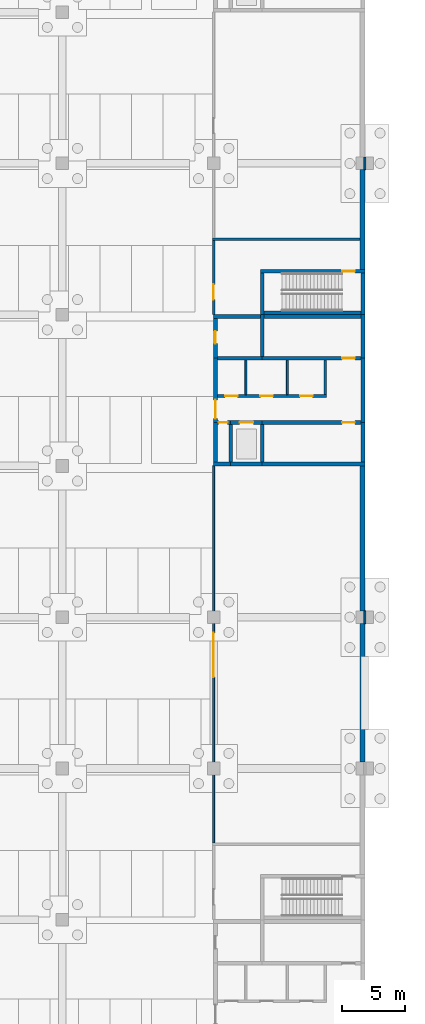
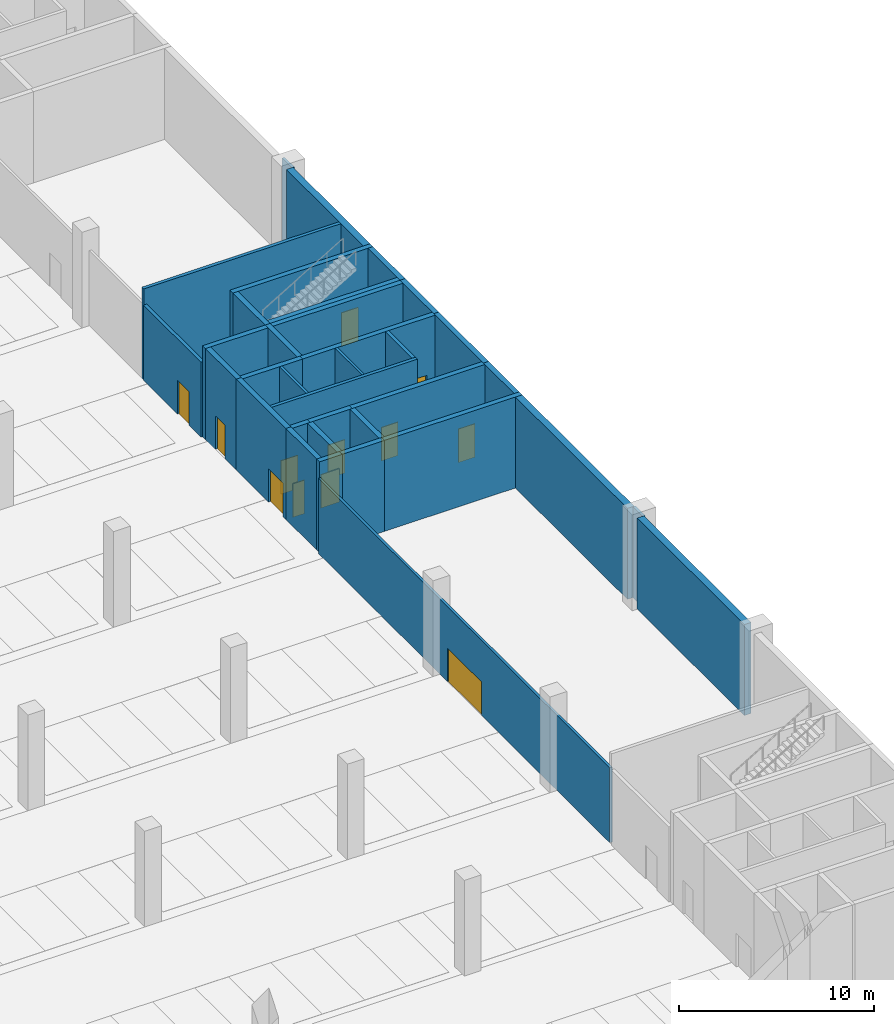
# One storey, part 21 of 34: 35 walls, 12 doors, 12 openings.
"""IFC4 building model written with IfcOpenShell, lengths in metres."""

from ifc_helpers import new_model, si_unit, direction, frame, frame_2d, origin, place, context, subcontext, project, spatial, rectangle, extrude, material, layer, layer_set, type_object, element, fill, save


model = new_model("IFC4")

# Units and contexts
model_context = context("Model", 3, precision=1e-05, world=origin(), true_north=direction((0.0, 1.0)))
body_context = subcontext(model_context, "Body", "Model", "MODEL_VIEW")
ifc_project = project(units=[si_unit("LENGTHUNIT", "METRE"), si_unit("AREAUNIT", "SQUARE_METRE"), si_unit("VOLUMEUNIT", "CUBIC_METRE"), si_unit("PLANEANGLEUNIT", "RADIAN"), si_unit("MASSUNIT", "GRAM", prefix="KILO")], contexts=[model_context])

# Site, building, storey
site_placement = place(None, origin())
site = spatial("IfcSite", under=ifc_project, at=site_placement, CompositionType="ELEMENT")
building_placement = place(site_placement, origin())
building = spatial("IfcBuilding", under=site, at=building_placement, Name="Lilac Gate Convention Centre", CompositionType="ELEMENT")
storey_placement = place(building_placement, frame((0.0, 0.0, -6.0)))
storey = spatial("IfcBuildingStorey", under=building, at=storey_placement, Name="B1", CompositionType="ELEMENT", Elevation=-6.0)

# Walls
ifc_material_1 = material(Name="Concrete C35", Category="concrete")
ifc_layer_1 = layer(ifc_material_1, 0.39990234375)
ifc_layer_set_1 = layer_set([ifc_layer_1], Name="Concrete C35")
wall_type_1 = type_object("IfcWallType", Name="Basement wall 400 C35", PredefinedType="SOLIDWALL", material=ifc_layer_set_1)
wall_1_placement = place(storey_placement, frame((89.800048828125, 126.5, 0.0), z_axis=(0.0, 0.0, 1.0), x_axis=(0.0, 1.0, 0.0)))
element("IfcWall", 1, at=wall_1_placement, inside=storey, type_object=wall_type_1, Name="SW2 basement wall 2 at 8/G", PredefinedType="SOLIDWALL", context=body_context, shape_type="SweptSolid", body=[
    extrude(rectangle(XDim=11.0, YDim=0.39990234375, at=frame_2d((5.5, 0.0))), origin(), (0.0, 0.0, 1.0), 5.699951171875),
])
wall_2_placement = place(storey_placement, frame((89.800048828125, 138.5, 0.0), z_axis=(0.0, 0.0, 1.0), x_axis=(0.0, 1.0, 0.0)))
element("IfcWall", 2, at=wall_2_placement, inside=storey, type_object=wall_type_1, Name="SW2 basement wall 3 at 8/G", PredefinedType="SOLIDWALL", context=body_context, shape_type="SweptSolid", body=[
    extrude(rectangle(XDim=11.5, YDim=0.39990234375, at=frame_2d((5.75, 0.0))), origin(), (0.0, 0.0, 1.0), 5.699951171875),
])
wall_3_placement = place(storey_placement, frame((89.800048828125, 165.60009765625, 0.0), z_axis=(0.0, 0.0, 1.0), x_axis=(0.0, 1.0, 0.0)))
element("IfcWall", 3, at=wall_3_placement, inside=storey, type_object=wall_type_1, Name="SW2 basement wall 4 at 8/G", PredefinedType="SOLIDWALL", context=body_context, shape_type="SweptSolid", body=[
    extrude(rectangle(XDim=7.89990234375, YDim=0.39990234375, at=frame_2d((3.949951171875, 0.0))), origin(), (0.0, 0.0, 1.0), 5.699951171875),
])

# Wall, opening, door
ifc_material_2 = material(Name="Fire-rated gypsum board on steel stud", Category="steel")
ifc_layer_2 = layer(ifc_material_2, 0.14990234375)
ifc_layer_set_2 = layer_set([ifc_layer_2], Name="Fire-rated gypsum board on steel stud")
wall_type_2 = type_object("IfcWallType", Name="Partition 150 fire-rated gypsum board EI 60", PredefinedType="PARTITIONING", material=ifc_layer_set_2)
wall_4_placement = place(storey_placement, frame((78.0, 120.10009765625, 0.0), z_axis=(0.0, 0.0, 1.0), x_axis=(0.0, 1.0, 0.0)))
wall_4 = element("IfcWall", 4, at=wall_4_placement, inside=storey, type_object=wall_type_2, Name="Partition 150 fire-rated gypsum board EI 60", PredefinedType="PARTITIONING", context=body_context, shape_type="SweptSolid", body=[
    extrude(rectangle(XDim=29.89990234375, YDim=0.14990234375, at=frame_2d((14.949951171875, 0.0))), origin(), (0.0, 0.0, 1.0), 4.699951171875),
])
opening_1_placement = place(wall_4_placement, frame((13.14990234375, 0.0, 0.0)))
opening_1 = element("IfcOpeningElement", 5, at=opening_1_placement, cuts=wall_4, Name="Opening B1-037", PredefinedType="OPENING", context=body_context, shape_type="SweptSolid", body=[
    extrude(rectangle(XDim=3.5, YDim=2.10009765625, at=frame_2d((1.75, 1.050048828125))), frame((0.0, 0.0849609375, 0.0), z_axis=(0.0, -1.0, 0.0), x_axis=(1.0, 0.0, 0.0)), (0.0, 0.0, 1.0), 0.169921875),
])
ifc_material_3 = material(Name="Timber fire door leaf", Category="wood")
door_type_1 = type_object("IfcDoorType", Name="Door 3500 x 2100 double leaf FD30", OperationType="DOUBLE_DOOR_SINGLE_SWING", PredefinedType="DOOR", material=ifc_material_3)
door_1_placement = place(opening_1_placement, origin())
door_1 = element("IfcDoor", 6, at=door_1_placement, inside=storey, type_object=door_type_1, Name="Loading dock door B1-037", OperationType="DOUBLE_DOOR_SINGLE_SWING", OverallHeight=2.10009765625, OverallWidth=3.5, PredefinedType="DOOR", context=body_context, shape_type="SweptSolid", body=[
    extrude(rectangle(XDim=3.5, YDim=2.10009765625, at=frame_2d((1.75, 1.050048828125))), frame((0.0, 0.02490234375, 0.0), z_axis=(0.0, -1.0, 0.0), x_axis=(1.0, 0.0, 0.0)), (0.0, 0.0, 1.0), 0.050048828125),
])
fill(opening_1, door_1)

# Walls
for number, where, z_axis, x_axis, name in (
    (7, (80.550048828125, 155.64990234375, 0.0), (0.0, 0.0, 1.0), (0.0, 1.0, 0.0), "Partition 150 fire-rated gypsum board EI 60"),
    (8, (83.85009765625, 155.64990234375, 0.0), (0.0, 0.0, 1.0), (0.0, 1.0, 0.0), "Partition 150 fire-rated gypsum board EI 60"),
):
    element("IfcWall", number, at=place(storey_placement, frame(where, z_axis=z_axis, x_axis=x_axis)), inside=storey, type_object=wall_type_2, Name=name, PredefinedType="PARTITIONING", context=body_context, shape_type="SweptSolid", body=[
        extrude(rectangle(XDim=2.75, YDim=0.14990234375, at=frame_2d((1.375, 0.0))), origin(), (0.0, 0.0, 1.0), 5.699951171875),
    ])
for number, where, z_axis, x_axis, name in (
    (9, (90.0, 137.5, 0.0), (0.0, 0.0, 1.0), (0.0, 1.0, 0.0), "Partition 150 fire-rated gypsum board EI 60"),
    (10, (90.0, 173.5, 0.0), (0.0, 0.0, 1.0), (0.0, 1.0, 0.0), "Partition 150 fire-rated gypsum board EI 60"),
):
    element("IfcWall", number, at=place(storey_placement, frame(where, z_axis=z_axis, x_axis=x_axis)), inside=storey, type_object=wall_type_2, Name=name, PredefinedType="PARTITIONING", context=body_context, shape_type="SweptSolid", body=[
        extrude(rectangle(XDim=1.0, YDim=0.14990234375, at=frame_2d((0.5, 0.0))), origin(), (0.0, 0.0, 1.0), 5.699951171875),
    ])

# Wall, openings, doors
ifc_material_4 = material(Name="Clay brick masonry", Category="masonry")
ifc_layer_3 = layer(ifc_material_4, 0.199951171875)
ifc_layer_set_3 = layer_set([ifc_layer_3], Name="Clay brick masonry")
wall_type_3 = type_object("IfcWallType", Name="Partition 200 brick EI 60", PredefinedType="PARTITIONING", material=ifc_layer_set_3)
wall_5_placement = place(storey_placement, frame((78.300048828125, 155.550048828125, 0.0), z_axis=(0.0, 0.0, 1.0), x_axis=(1.0, 0.0, 0.0)))
wall_5 = element("IfcWall", 11, at=wall_5_placement, inside=storey, type_object=wall_type_3, Name="Partition 200 brick EI 60", PredefinedType="PARTITIONING", context=body_context, shape_type="SweptSolid", body=[
    extrude(rectangle(XDim=8.64990234375, YDim=0.199951171875, at=frame_2d((4.324951171875, 0.0))), origin(), (0.0, 0.0, 1.0), 5.699951171875),
])
opening_2_placement = place(wall_5_placement, frame((0.60009765625, 0.0, 0.0)))
opening_2 = element("IfcOpeningElement", 12, at=opening_2_placement, cuts=wall_5, Name="Opening B1-048", PredefinedType="OPENING", context=body_context, shape_type="SweptSolid", body=[
    extrude(rectangle(XDim=1.0, YDim=2.10009765625, at=frame_2d((0.5, 1.050048828125))), frame((0.0, 0.10986328125, 0.0), z_axis=(0.0, -1.0, 0.0), x_axis=(1.0, 0.0, 0.0)), (0.0, 0.0, 1.0), 0.219970703125),
])
opening_3_placement = place(wall_5_placement, frame((3.39990234375, 0.0, 0.0)))
opening_3 = element("IfcOpeningElement", 13, at=opening_3_placement, cuts=wall_5, Name="Opening B1-049", PredefinedType="OPENING", context=body_context, shape_type="SweptSolid", body=[
    extrude(rectangle(XDim=1.0, YDim=2.10009765625, at=frame_2d((0.5, 1.050048828125))), frame((0.0, 0.10986328125, 0.0), z_axis=(0.0, -1.0, 0.0), x_axis=(1.0, 0.0, 0.0)), (0.0, 0.0, 1.0), 0.219970703125),
])
opening_4_placement = place(wall_5_placement, frame((6.550048828125, 0.0, 0.0)))
opening_4 = element("IfcOpeningElement", 14, at=opening_4_placement, cuts=wall_5, Name="Opening B1-050", PredefinedType="OPENING", context=body_context, shape_type="SweptSolid", body=[
    extrude(rectangle(XDim=1.0, YDim=2.10009765625, at=frame_2d((0.5, 1.050048828125))), frame((0.0, 0.10986328125, 0.0), z_axis=(0.0, -1.0, 0.0), x_axis=(1.0, 0.0, 0.0)), (0.0, 0.0, 1.0), 0.219970703125),
])
door_type_2 = type_object("IfcDoorType", Name="Door 1000 x 2100 single leaf FD30", OperationType="SINGLE_SWING_LEFT", PredefinedType="DOOR", material=ifc_material_3)
door_2_placement = place(opening_2_placement, origin())
door_2 = element("IfcDoor", 15, at=door_2_placement, inside=storey, type_object=door_type_2, Name="Accessible WC door B1-048", OperationType="SINGLE_SWING_RIGHT", OverallHeight=2.10009765625, OverallWidth=1.0, PredefinedType="DOOR", context=body_context, shape_type="SweptSolid", body=[
    extrude(rectangle(XDim=1.0, YDim=2.10009765625, at=frame_2d((0.5, 1.050048828125))), frame((0.0, 0.02490234375, 0.0), z_axis=(0.0, -1.0, 0.0), x_axis=(1.0, 0.0, 0.0)), (0.0, 0.0, 1.0), 0.050048828125),
])
fill(opening_2, door_2)
door_3_placement = place(opening_3_placement, origin())
door_3 = element("IfcDoor", 16, at=door_3_placement, inside=storey, type_object=door_type_2, Name="WC door B1-049", OperationType="SINGLE_SWING_LEFT", OverallHeight=2.10009765625, OverallWidth=1.0, PredefinedType="DOOR", context=body_context, shape_type="SweptSolid", body=[
    extrude(rectangle(XDim=1.0, YDim=2.10009765625, at=frame_2d((0.5, 1.050048828125))), frame((0.0, 0.02490234375, 0.0), z_axis=(0.0, -1.0, 0.0), x_axis=(1.0, 0.0, 0.0)), (0.0, 0.0, 1.0), 0.050048828125),
])
fill(opening_3, door_3)
door_4_placement = place(opening_4_placement, origin())
door_4 = element("IfcDoor", 17, at=door_4_placement, inside=storey, type_object=door_type_2, Name="WC door B1-050", OperationType="SINGLE_SWING_RIGHT", OverallHeight=2.10009765625, OverallWidth=1.0, PredefinedType="DOOR", context=body_context, shape_type="SweptSolid", body=[
    extrude(rectangle(XDim=1.0, YDim=2.10009765625, at=frame_2d((0.5, 1.050048828125))), frame((0.0, 0.02490234375, 0.0), z_axis=(0.0, -1.0, 0.0), x_axis=(1.0, 0.0, 0.0)), (0.0, 0.0, 1.0), 0.050048828125),
])
fill(opening_4, door_4)

# Wall
wall_6_placement = place(storey_placement, frame((77.925048828125, 168.0, 0.0), z_axis=(0.0, 0.0, 1.0), x_axis=(1.0, 0.0, 0.0)))
element("IfcWall", 18, at=wall_6_placement, inside=storey, type_object=wall_type_3, Name="Partition 200 brick EI 60", PredefinedType="PARTITIONING", context=body_context, shape_type="SweptSolid", body=[
    extrude(rectangle(XDim=11.675048828125, YDim=0.199951171875, at=frame_2d((5.83740234375, 0.0))), origin(), (0.0, 0.0, 1.0), 5.699951171875),
])

# Wall, opening, door
wall_7_placement = place(storey_placement, frame((78.0, 162.0, 0.0), z_axis=(0.0, 0.0, 1.0), x_axis=(0.0, 1.0, 0.0)))
wall_7 = element("IfcWall", 19, at=wall_7_placement, inside=storey, type_object=wall_type_3, Name="Partition 200 brick EI 60", PredefinedType="PARTITIONING", context=body_context, shape_type="SweptSolid", body=[
    extrude(rectangle(XDim=5.89990234375, YDim=0.199951171875, at=frame_2d((2.949951171875, 0.0))), origin(), (0.0, 0.0, 1.0), 4.699951171875),
])
opening_5_placement = place(wall_7_placement, frame((1.199951171875, 0.0, 0.0)))
opening_5 = element("IfcOpeningElement", 20, at=opening_5_placement, cuts=wall_7, Name="Opening B1-056", PredefinedType="OPENING", context=body_context, shape_type="SweptSolid", body=[
    extrude(rectangle(XDim=1.199951171875, YDim=2.10009765625, at=frame_2d((0.60009765625, 1.050048828125))), frame((0.0, 0.10986328125, 0.0), z_axis=(0.0, -1.0, 0.0), x_axis=(1.0, 0.0, 0.0)), (0.0, 0.0, 1.0), 0.219970703125),
])
door_type_3 = type_object("IfcDoorType", Name="Door 1200 x 2100 single leaf FD60", OperationType="SINGLE_SWING_LEFT", PredefinedType="DOOR", material=ifc_material_3)
door_5_placement = place(opening_5_placement, frame((1.199951171875, 0.0, 0.0), z_axis=(0.0, 0.0, 1.0), x_axis=(-1.0, 0.0, 0.0)))
door_5 = element("IfcDoor", 21, at=door_5_placement, inside=storey, type_object=door_type_3, Name="Lobby door B1-056", OperationType="SINGLE_SWING_LEFT", OverallHeight=2.10009765625, OverallWidth=1.199951171875, PredefinedType="DOOR", context=body_context, shape_type="SweptSolid", body=[
    extrude(rectangle(XDim=1.199951171875, YDim=2.10009765625, at=frame_2d((0.60009765625, 1.050048828125))), frame((0.0, 0.02490234375, 0.0), z_axis=(0.0, -1.0, 0.0), x_axis=(1.0, 0.0, 0.0)), (0.0, 0.0, 1.0), 0.050048828125),
])
fill(opening_5, door_5)

# Walls
wall_8_placement = place(storey_placement, frame((86.85009765625, 155.64990234375, 0.0), z_axis=(0.0, 0.0, 1.0), x_axis=(0.0, 1.0, 0.0)))
element("IfcWall", 22, at=wall_8_placement, inside=storey, type_object=wall_type_3, Name="Partition 200 brick EI 60", PredefinedType="PARTITIONING", context=body_context, shape_type="SweptSolid", body=[
    extrude(rectangle(XDim=2.75, YDim=0.199951171875, at=frame_2d((1.375, 0.0))), origin(), (0.0, 0.0, 1.0), 5.699951171875),
])
ifc_material_5 = material(Name="Concrete C40", Category="concrete")
ifc_layer_4 = layer(ifc_material_5, 0.300048828125)
ifc_layer_set_4 = layer_set([ifc_layer_4], Name="Concrete C40")
wall_type_4 = type_object("IfcWallType", Name="Shear wall 300 C40", PredefinedType="SHEAR", material=ifc_layer_set_4)
wall_9_placement = place(storey_placement, frame((90.0, 162.14990234375, 0.0), z_axis=(0.0, 0.0, 1.0), x_axis=(-1.0, 0.0, 0.0)))
element("IfcWall", 23, at=wall_9_placement, inside=storey, type_object=wall_type_4, Name="SW1 shear wall BE2 B1 1", PredefinedType="SHEAR", context=body_context, shape_type="SweptSolid", body=[
    extrude(rectangle(XDim=8.300048828125, YDim=0.300048828125, at=frame_2d((4.14990234375, 0.0))), origin(), (0.0, 0.0, 1.0), 5.699951171875),
])

# Wall, opening, door
wall_10_placement = place(storey_placement, frame((90.0, 165.449951171875, 0.0), z_axis=(0.0, 0.0, 1.0), x_axis=(-1.0, 0.0, 0.0)))
wall_10 = element("IfcWall", 24, at=wall_10_placement, inside=storey, type_object=wall_type_4, Name="SW1 shear wall BE2 B1 2", PredefinedType="SHEAR", context=body_context, shape_type="SweptSolid", body=[
    extrude(rectangle(XDim=8.300048828125, YDim=0.300048828125, at=frame_2d((4.14990234375, 0.0))), origin(), (0.0, 0.0, 1.0), 5.699951171875),
])
opening_6_placement = place(wall_10_placement, frame((0.800048828125, 0.0, 0.0)))
opening_6 = element("IfcOpeningElement", 25, at=opening_6_placement, cuts=wall_10, Name="Opening B1-058", PredefinedType="OPENING", context=body_context, shape_type="SweptSolid", body=[
    extrude(rectangle(XDim=1.0, YDim=2.10009765625, at=frame_2d((0.5, 1.050048828125))), frame((0.0, 0.159912109375, 0.0), z_axis=(0.0, -1.0, 0.0), x_axis=(1.0, 0.0, 0.0)), (0.0, 0.0, 1.0), 0.320068359375),
])
door_type_4 = type_object("IfcDoorType", Name="Door 1000 x 2100 single leaf FD60", OperationType="SINGLE_SWING_LEFT", PredefinedType="DOOR", material=ifc_material_3)
door_6_placement = place(opening_6_placement, origin())
door_6 = element("IfcDoor", 26, at=door_6_placement, inside=storey, type_object=door_type_4, Name="Stair door B1-058", OperationType="SINGLE_SWING_RIGHT", OverallHeight=2.10009765625, OverallWidth=1.0, PredefinedType="DOOR", context=body_context, shape_type="SweptSolid", body=[
    extrude(rectangle(XDim=1.0, YDim=2.10009765625, at=frame_2d((0.5, 1.050048828125))), frame((0.0, 0.02490234375, 0.0), z_axis=(0.0, -1.0, 0.0), x_axis=(1.0, 0.0, 0.0)), (0.0, 0.0, 1.0), 0.050048828125),
])
fill(opening_6, door_6)

# Walls
for number, where, z_axis, x_axis, name in (
    (27, (89.85009765625, 162.0, 0.0), (0.0, 0.0, 1.0), (0.0, 1.0, 0.0), "SW1 shear wall BE2 B1 3"),
    (28, (81.85009765625, 162.0, 0.0), (0.0, 0.0, 1.0), (0.0, 1.0, 0.0), "SW1 shear wall BE2 B1 4"),
):
    element("IfcWall", number, at=place(storey_placement, frame(where, z_axis=z_axis, x_axis=x_axis)), inside=storey, type_object=wall_type_4, Name=name, PredefinedType="SHEAR", context=body_context, shape_type="SweptSolid", body=[
        extrude(rectangle(XDim=3.300048828125, YDim=0.300048828125, at=frame_2d((1.64990234375, 0.0))), origin(), (0.0, 0.0, 1.0), 5.699951171875),
    ])
wall_11_placement = place(storey_placement, frame((90.0, 150.14990234375, 0.0), z_axis=(0.0, 0.0, 1.0), x_axis=(-1.0, 0.0, 0.0)))
element("IfcWall", 29, at=wall_11_placement, inside=storey, type_object=wall_type_4, Name="SW1 shear wall E2 B1 1", PredefinedType="SHEAR", context=body_context, shape_type="SweptSolid", body=[
    extrude(rectangle(XDim=8.14990234375, YDim=0.300048828125, at=frame_2d((4.074951171875, 0.0))), origin(), (0.0, 0.0, 1.0), 5.699951171875),
])
wall_12_placement = place(storey_placement, frame((81.85009765625, 150.14990234375, 0.0), z_axis=(0.0, 0.0, 1.0), x_axis=(-1.0, 0.0, 0.0)))
element("IfcWall", 30, at=wall_12_placement, inside=storey, type_object=wall_type_4, Name="SW1 shear wall E2 B1 2", PredefinedType="SHEAR", context=body_context, shape_type="SweptSolid", body=[
    extrude(rectangle(XDim=2.5, YDim=0.300048828125, at=frame_2d((1.25, 0.0))), origin(), (0.0, 0.0, 1.0), 5.699951171875),
])
wall_13_placement = place(storey_placement, frame((79.35009765625, 150.14990234375, 0.0), z_axis=(0.0, 0.0, 1.0), x_axis=(-1.0, 0.0, 0.0)))
element("IfcWall", 31, at=wall_13_placement, inside=storey, type_object=wall_type_4, Name="SW1 shear wall E2 B1 3", PredefinedType="SHEAR", context=body_context, shape_type="SweptSolid", body=[
    extrude(rectangle(XDim=1.35009765625, YDim=0.300048828125, at=frame_2d((0.675048828125, 0.0))), origin(), (0.0, 0.0, 1.0), 5.699951171875),
])
wall_14_placement = place(storey_placement, frame((90.0, 161.85009765625, 0.0), z_axis=(0.0, 0.0, 1.0), x_axis=(-1.0, 0.0, 0.0)))
element("IfcWall", 32, at=wall_14_placement, inside=storey, type_object=wall_type_4, Name="SW1 shear wall E2 B1 4", PredefinedType="SHEAR", context=body_context, shape_type="SweptSolid", body=[
    extrude(rectangle(XDim=8.14990234375, YDim=0.300048828125, at=frame_2d((4.074951171875, 0.0))), origin(), (0.0, 0.0, 1.0), 5.699951171875),
])
wall_15_placement = place(storey_placement, frame((81.85009765625, 161.85009765625, 0.0), z_axis=(0.0, 0.0, 1.0), x_axis=(-1.0, 0.0, 0.0)))
element("IfcWall", 33, at=wall_15_placement, inside=storey, type_object=wall_type_4, Name="SW1 shear wall E2 B1 5", PredefinedType="SHEAR", context=body_context, shape_type="SweptSolid", body=[
    extrude(rectangle(XDim=3.85009765625, YDim=0.300048828125, at=frame_2d((1.925048828125, 0.0))), origin(), (0.0, 0.0, 1.0), 5.699951171875),
])

# Wall, opening, door
wall_16_placement = place(storey_placement, frame((90.0, 153.449951171875, 0.0), z_axis=(0.0, 0.0, 1.0), x_axis=(-1.0, 0.0, 0.0)))
wall_16 = element("IfcWall", 34, at=wall_16_placement, inside=storey, type_object=wall_type_4, Name="SW1 shear wall E2 B1 6", PredefinedType="SHEAR", context=body_context, shape_type="SweptSolid", body=[
    extrude(rectangle(XDim=8.14990234375, YDim=0.300048828125, at=frame_2d((4.074951171875, 0.0))), origin(), (0.0, 0.0, 1.0), 5.699951171875),
])
opening_7_placement = place(wall_16_placement, frame((0.800048828125, 0.0, 0.0)))
opening_7 = element("IfcOpeningElement", 35, at=opening_7_placement, cuts=wall_16, Name="Opening B1-042", PredefinedType="OPENING", context=body_context, shape_type="SweptSolid", body=[
    extrude(rectangle(XDim=1.0, YDim=2.10009765625, at=frame_2d((0.5, 1.050048828125))), frame((0.0, 0.159912109375, 0.0), z_axis=(0.0, -1.0, 0.0), x_axis=(1.0, 0.0, 0.0)), (0.0, 0.0, 1.0), 0.320068359375),
])
door_7_placement = place(opening_7_placement, origin())
door_7 = element("IfcDoor", 36, at=door_7_placement, inside=storey, type_object=door_type_4, Name="Store door B1-042", OperationType="SINGLE_SWING_RIGHT", OverallHeight=2.10009765625, OverallWidth=1.0, PredefinedType="DOOR", context=body_context, shape_type="SweptSolid", body=[
    extrude(rectangle(XDim=1.0, YDim=2.10009765625, at=frame_2d((0.5, 1.050048828125))), frame((0.0, 0.02490234375, 0.0), z_axis=(0.0, -1.0, 0.0), x_axis=(1.0, 0.0, 0.0)), (0.0, 0.0, 1.0), 0.050048828125),
])
fill(opening_7, door_7)

wall_17_placement = place(storey_placement, frame((81.85009765625, 153.449951171875, 0.0), z_axis=(0.0, 0.0, 1.0), x_axis=(-1.0, 0.0, 0.0)))
wall_17 = element("IfcWall", 37, at=wall_17_placement, inside=storey, type_object=wall_type_4, Name="SW1 shear wall E2 B1 7", PredefinedType="SHEAR", context=body_context, shape_type="SweptSolid", body=[
    extrude(rectangle(XDim=2.5, YDim=0.300048828125, at=frame_2d((1.25, 0.0))), origin(), (0.0, 0.0, 1.0), 5.699951171875),
])
opening_8_placement = place(wall_17_placement, frame((0.699951171875, 0.0, 0.0)))
opening_8 = element("IfcOpeningElement", 38, at=opening_8_placement, cuts=wall_17, Name="Opening LDE2-B1", PredefinedType="OPENING", context=body_context, shape_type="SweptSolid", body=[
    extrude(rectangle(XDim=1.10009765625, YDim=2.10009765625, at=frame_2d((0.550048828125, 1.050048828125))), frame((0.0, 0.159912109375, 0.0), z_axis=(0.0, -1.0, 0.0), x_axis=(1.0, 0.0, 0.0)), (0.0, 0.0, 1.0), 0.320068359375),
])
ifc_material_6 = material(Name="Stainless steel 304", Category="steel")
door_type_5 = type_object("IfcDoorType", Name="Lift landing door 1100 x 2100", OperationType="SLIDING_TO_LEFT", PredefinedType="DOOR", material=ifc_material_6)
door_8_placement = place(opening_8_placement, origin())
door_8 = element("IfcDoor", 39, at=door_8_placement, inside=storey, type_object=door_type_5, Name="Lift landing door LDE2-B1", OperationType="SLIDING_TO_LEFT", OverallHeight=2.10009765625, OverallWidth=1.10009765625, PredefinedType="DOOR", context=body_context, shape_type="SweptSolid", body=[
    extrude(rectangle(XDim=1.10009765625, YDim=2.10009765625, at=frame_2d((0.550048828125, 1.050048828125))), frame((0.0, 0.02490234375, 0.0), z_axis=(0.0, -1.0, 0.0), x_axis=(1.0, 0.0, 0.0)), (0.0, 0.0, 1.0), 0.050048828125),
])
fill(opening_8, door_8)

wall_18_placement = place(storey_placement, frame((79.35009765625, 153.449951171875, 0.0), z_axis=(0.0, 0.0, 1.0), x_axis=(-1.0, 0.0, 0.0)))
wall_18 = element("IfcWall", 40, at=wall_18_placement, inside=storey, type_object=wall_type_4, Name="SW1 shear wall E2 B1 8", PredefinedType="SHEAR", context=body_context, shape_type="SweptSolid", body=[
    extrude(rectangle(XDim=1.050048828125, YDim=0.300048828125, at=frame_2d((0.52490234375, 0.0))), origin(), (0.0, 0.0, 1.0), 5.699951171875),
])
opening_9_placement = place(wall_18_placement, frame((0.25, 0.0, 0.0)))
opening_9 = element("IfcOpeningElement", 41, at=opening_9_placement, cuts=wall_18, Name="Opening B1-041", PredefinedType="OPENING", context=body_context, shape_type="SweptSolid", body=[
    extrude(rectangle(XDim=0.699951171875, YDim=2.10009765625, at=frame_2d((0.35009765625, 1.050048828125))), frame((0.0, 0.159912109375, 0.0), z_axis=(0.0, -1.0, 0.0), x_axis=(1.0, 0.0, 0.0)), (0.0, 0.0, 1.0), 0.320068359375),
])
door_type_6 = type_object("IfcDoorType", Name="Door 700 x 2100 single leaf FD30", OperationType="SINGLE_SWING_LEFT", PredefinedType="DOOR", material=ifc_material_3)
door_9_placement = place(opening_9_placement, origin())
door_9 = element("IfcDoor", 42, at=door_9_placement, inside=storey, type_object=door_type_6, Name="Riser access door B1-041", OperationType="SINGLE_SWING_LEFT", OverallHeight=2.10009765625, OverallWidth=0.699951171875, PredefinedType="DOOR", context=body_context, shape_type="SweptSolid", body=[
    extrude(rectangle(XDim=0.699951171875, YDim=2.10009765625, at=frame_2d((0.35009765625, 1.050048828125))), frame((0.0, 0.02490234375, 0.0), z_axis=(0.0, -1.0, 0.0), x_axis=(1.0, 0.0, 0.0)), (0.0, 0.0, 1.0), 0.050048828125),
])
fill(opening_9, door_9)

wall_19_placement = place(storey_placement, frame((90.0, 158.550048828125, 0.0), z_axis=(0.0, 0.0, 1.0), x_axis=(-1.0, 0.0, 0.0)))
wall_19 = element("IfcWall", 43, at=wall_19_placement, inside=storey, type_object=wall_type_4, Name="SW1 shear wall E2 B1 9", PredefinedType="SHEAR", context=body_context, shape_type="SweptSolid", body=[
    extrude(rectangle(XDim=8.14990234375, YDim=0.300048828125, at=frame_2d((4.074951171875, 0.0))), origin(), (0.0, 0.0, 1.0), 5.699951171875),
])
opening_10_placement = place(wall_19_placement, frame((0.800048828125, 0.0, 0.0)))
opening_10 = element("IfcOpeningElement", 44, at=opening_10_placement, cuts=wall_19, Name="Opening B1-052", PredefinedType="OPENING", context=body_context, shape_type="SweptSolid", body=[
    extrude(rectangle(XDim=1.0, YDim=2.10009765625, at=frame_2d((0.5, 1.050048828125))), frame((0.0, 0.159912109375, 0.0), z_axis=(0.0, -1.0, 0.0), x_axis=(1.0, 0.0, 0.0)), (0.0, 0.0, 1.0), 0.320068359375),
])
door_10_placement = place(opening_10_placement, frame((1.0, 0.0, 0.0), z_axis=(0.0, 0.0, 1.0), x_axis=(-1.0, 0.0, 0.0)))
door_10 = element("IfcDoor", 45, at=door_10_placement, inside=storey, type_object=door_type_4, Name="Store door B1-052", OperationType="SINGLE_SWING_LEFT", OverallHeight=2.10009765625, OverallWidth=1.0, PredefinedType="DOOR", context=body_context, shape_type="SweptSolid", body=[
    extrude(rectangle(XDim=1.0, YDim=2.10009765625, at=frame_2d((0.5, 1.050048828125))), frame((0.0, 0.02490234375, 0.0), z_axis=(0.0, -1.0, 0.0), x_axis=(1.0, 0.0, 0.0)), (0.0, 0.0, 1.0), 0.050048828125),
])
fill(opening_10, door_10)

# Walls
wall_20_placement = place(storey_placement, frame((81.85009765625, 158.550048828125, 0.0), z_axis=(0.0, 0.0, 1.0), x_axis=(-1.0, 0.0, 0.0)))
element("IfcWall", 46, at=wall_20_placement, inside=storey, type_object=wall_type_4, Name="SW1 shear wall E2 B1 10", PredefinedType="SHEAR", context=body_context, shape_type="SweptSolid", body=[
    extrude(rectangle(XDim=3.550048828125, YDim=0.300048828125, at=frame_2d((1.77490234375, 0.0))), origin(), (0.0, 0.0, 1.0), 5.699951171875),
])
wall_21_placement = place(storey_placement, frame((89.85009765625, 150.300048828125, 0.0), z_axis=(0.0, 0.0, 1.0), x_axis=(0.0, 1.0, 0.0)))
element("IfcWall", 47, at=wall_21_placement, inside=storey, type_object=wall_type_4, Name="SW1 shear wall E2 B1 11", PredefinedType="SHEAR", context=body_context, shape_type="SweptSolid", body=[
    extrude(rectangle(XDim=3.14990234375, YDim=0.300048828125, at=frame_2d((1.574951171875, 0.0))), origin(), (0.0, 0.0, 1.0), 5.699951171875),
])
wall_22_placement = place(storey_placement, frame((89.85009765625, 153.449951171875, 0.0), z_axis=(0.0, 0.0, 1.0), x_axis=(0.0, 1.0, 0.0)))
element("IfcWall", 48, at=wall_22_placement, inside=storey, type_object=wall_type_4, Name="SW1 shear wall E2 B1 12", PredefinedType="SHEAR", context=body_context, shape_type="SweptSolid", body=[
    extrude(rectangle(XDim=5.10009765625, YDim=0.300048828125, at=frame_2d((2.550048828125, 0.0))), origin(), (0.0, 0.0, 1.0), 5.699951171875),
])
wall_23_placement = place(storey_placement, frame((89.85009765625, 158.550048828125, 0.0), z_axis=(0.0, 0.0, 1.0), x_axis=(0.0, 1.0, 0.0)))
element("IfcWall", 49, at=wall_23_placement, inside=storey, type_object=wall_type_4, Name="SW1 shear wall E2 B1 13", PredefinedType="SHEAR", context=body_context, shape_type="SweptSolid", body=[
    extrude(rectangle(XDim=3.449951171875, YDim=0.300048828125, at=frame_2d((1.72509765625, 0.0))), origin(), (0.0, 0.0, 1.0), 5.699951171875),
])
wall_24_placement = place(storey_placement, frame((78.14990234375, 150.300048828125, 0.0), z_axis=(0.0, 0.0, 1.0), x_axis=(0.0, 1.0, 0.0)))
element("IfcWall", 50, at=wall_24_placement, inside=storey, type_object=wall_type_4, Name="SW1 shear wall E2 B1 14", PredefinedType="SHEAR", context=body_context, shape_type="SweptSolid", body=[
    extrude(rectangle(XDim=3.14990234375, YDim=0.300048828125, at=frame_2d((1.574951171875, 0.0))), origin(), (0.0, 0.0, 1.0), 5.699951171875),
])

# Wall, opening, door
wall_25_placement = place(storey_placement, frame((78.14990234375, 153.449951171875, 0.0), z_axis=(0.0, 0.0, 1.0), x_axis=(0.0, 1.0, 0.0)))
wall_25 = element("IfcWall", 51, at=wall_25_placement, inside=storey, type_object=wall_type_4, Name="SW1 shear wall E2 B1 15", PredefinedType="SHEAR", context=body_context, shape_type="SweptSolid", body=[
    extrude(rectangle(XDim=5.10009765625, YDim=0.300048828125, at=frame_2d((2.550048828125, 0.0))), origin(), (0.0, 0.0, 1.0), 5.699951171875),
])
opening_11_placement = place(wall_25_placement, frame((0.300048828125, 0.0, 0.0)))
opening_11 = element("IfcOpeningElement", 52, at=opening_11_placement, cuts=wall_25, Name="Opening B1-044", PredefinedType="OPENING", context=body_context, shape_type="SweptSolid", body=[
    extrude(rectangle(XDim=1.5, YDim=2.10009765625, at=frame_2d((0.75, 1.050048828125))), frame((0.0, 0.159912109375, 0.0), z_axis=(0.0, -1.0, 0.0), x_axis=(1.0, 0.0, 0.0)), (0.0, 0.0, 1.0), 0.320068359375),
])
door_type_7 = type_object("IfcDoorType", Name="Door 1500 x 2100 double leaf FD30", OperationType="DOUBLE_DOOR_SINGLE_SWING", PredefinedType="DOOR", material=ifc_material_3)
door_11_placement = place(opening_11_placement, frame((1.5, 0.0, 0.0), z_axis=(0.0, 0.0, 1.0), x_axis=(-1.0, 0.0, 0.0)))
door_11 = element("IfcDoor", 53, at=door_11_placement, inside=storey, type_object=door_type_7, Name="Lobby door B1-044", OperationType="DOUBLE_DOOR_SINGLE_SWING", OverallHeight=2.10009765625, OverallWidth=1.5, PredefinedType="DOOR", context=body_context, shape_type="SweptSolid", body=[
    extrude(rectangle(XDim=1.5, YDim=2.10009765625, at=frame_2d((0.75, 1.050048828125))), frame((0.0, 0.02490234375, 0.0), z_axis=(0.0, -1.0, 0.0), x_axis=(1.0, 0.0, 0.0)), (0.0, 0.0, 1.0), 0.050048828125),
])
fill(opening_11, door_11)

wall_26_placement = place(storey_placement, frame((78.14990234375, 158.550048828125, 0.0), z_axis=(0.0, 0.0, 1.0), x_axis=(0.0, 1.0, 0.0)))
wall_26 = element("IfcWall", 54, at=wall_26_placement, inside=storey, type_object=wall_type_4, Name="SW1 shear wall E2 B1 16", PredefinedType="SHEAR", context=body_context, shape_type="SweptSolid", body=[
    extrude(rectangle(XDim=3.14990234375, YDim=0.300048828125, at=frame_2d((1.574951171875, 0.0))), origin(), (0.0, 0.0, 1.0), 5.699951171875),
])
opening_12_placement = place(wall_26_placement, frame((1.14990234375, 0.0, 0.0)))
opening_12 = element("IfcOpeningElement", 55, at=opening_12_placement, cuts=wall_26, Name="Opening B1-054", PredefinedType="OPENING", context=body_context, shape_type="SweptSolid", body=[
    extrude(rectangle(XDim=1.0, YDim=2.10009765625, at=frame_2d((0.5, 1.050048828125))), frame((0.0, 0.159912109375, 0.0), z_axis=(0.0, -1.0, 0.0), x_axis=(1.0, 0.0, 0.0)), (0.0, 0.0, 1.0), 0.320068359375),
])
door_12_placement = place(opening_12_placement, frame((1.0, 0.0, 0.0), z_axis=(0.0, 0.0, 1.0), x_axis=(-1.0, 0.0, 0.0)))
door_12 = element("IfcDoor", 56, at=door_12_placement, inside=storey, type_object=door_type_2, Name="Riser access door B1-054", OperationType="SINGLE_SWING_LEFT", OverallHeight=2.10009765625, OverallWidth=1.0, PredefinedType="DOOR", context=body_context, shape_type="SweptSolid", body=[
    extrude(rectangle(XDim=1.0, YDim=2.10009765625, at=frame_2d((0.5, 1.050048828125))), frame((0.0, 0.02490234375, 0.0), z_axis=(0.0, -1.0, 0.0), x_axis=(1.0, 0.0, 0.0)), (0.0, 0.0, 1.0), 0.050048828125),
])
fill(opening_12, door_12)

# Walls
wall_27_placement = place(storey_placement, frame((81.85009765625, 150.300048828125, 0.0), z_axis=(0.0, 0.0, 1.0), x_axis=(0.0, 1.0, 0.0)))
element("IfcWall", 57, at=wall_27_placement, inside=storey, type_object=wall_type_4, Name="SW1 shear wall E2 B1 17", PredefinedType="SHEAR", context=body_context, shape_type="SweptSolid", body=[
    extrude(rectangle(XDim=3.0, YDim=0.300048828125, at=frame_2d((1.5, 0.0))), origin(), (0.0, 0.0, 1.0), 5.699951171875),
])
wall_28_placement = place(storey_placement, frame((81.85009765625, 158.699951171875, 0.0), z_axis=(0.0, 0.0, 1.0), x_axis=(0.0, 1.0, 0.0)))
element("IfcWall", 58, at=wall_28_placement, inside=storey, type_object=wall_type_4, Name="SW1 shear wall E2 B1 18", PredefinedType="SHEAR", context=body_context, shape_type="SweptSolid", body=[
    extrude(rectangle(XDim=3.300048828125, YDim=0.300048828125, at=frame_2d((1.64990234375, 0.0))), origin(), (0.0, 0.0, 1.0), 5.699951171875),
])
wall_29_placement = place(storey_placement, frame((79.35009765625, 150.300048828125, 0.0), z_axis=(0.0, 0.0, 1.0), x_axis=(0.0, 1.0, 0.0)))
element("IfcWall", 59, at=wall_29_placement, inside=storey, type_object=wall_type_4, Name="SW1 shear wall E2 B1 19", PredefinedType="SHEAR", context=body_context, shape_type="SweptSolid", body=[
    extrude(rectangle(XDim=3.0, YDim=0.300048828125, at=frame_2d((1.5, 0.0))), origin(), (0.0, 0.0, 1.0), 5.699951171875),
])

save(model, "model.ifc")
